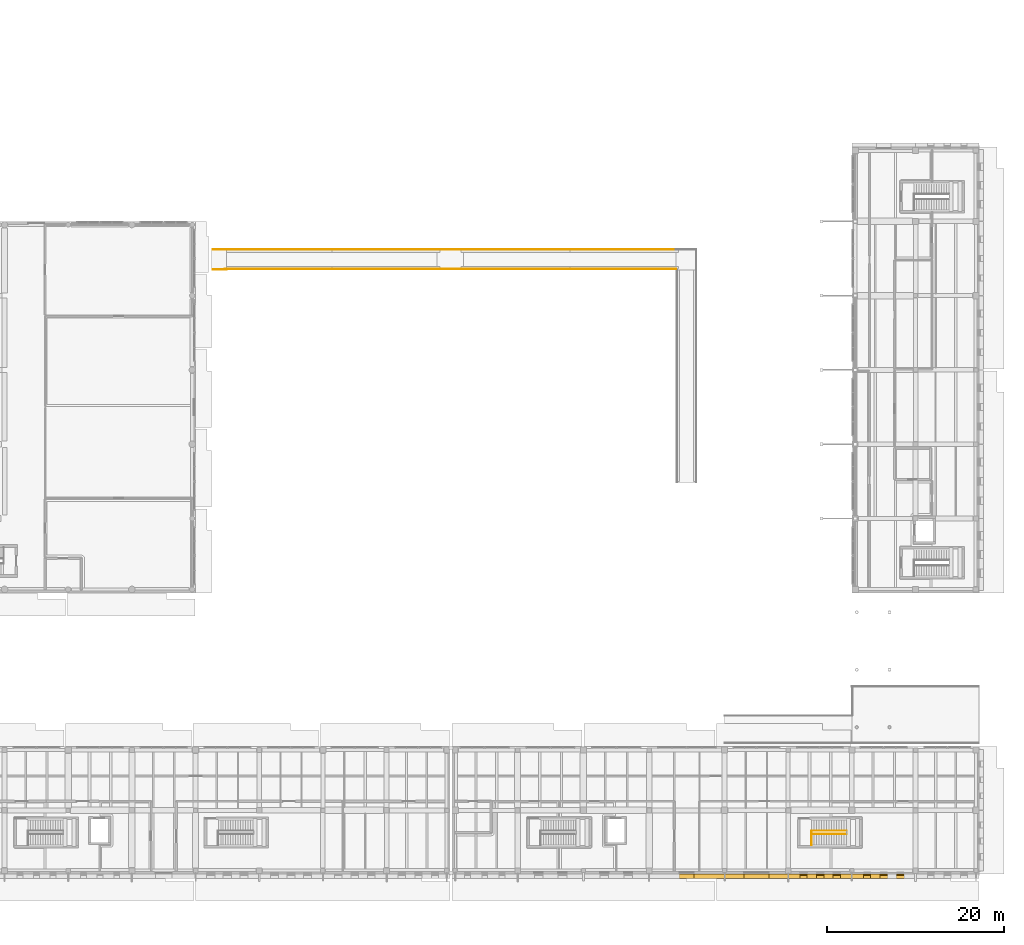
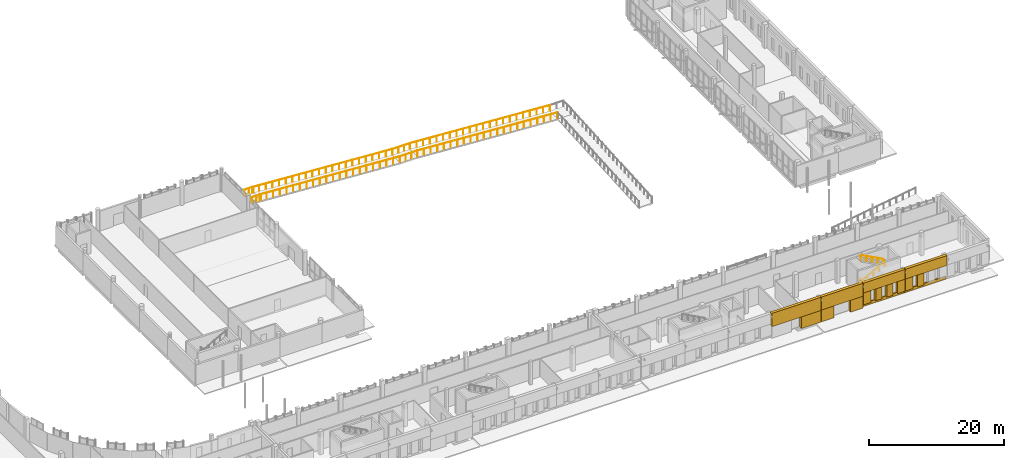
# One storey, part 74 of 77: 15 coverings, 11 railings.
"""IFC4 building model written with IfcOpenShell, lengths in metres."""

from ifc_helpers import new_model, si_unit, direction, frame, origin, origin_2d, place, context, subcontext, project, spatial, polyline, circle, outline, extrude, material, layer, layer_set, type_object, element, save


model = new_model("IFC4")

# Units and contexts
model_context = context("Model", 3, precision=1e-05, world=origin(), true_north=direction((0.0, 1.0)))
body_context = subcontext(model_context, "Body", "Model", "MODEL_VIEW")
ifc_project = project(units=[si_unit("LENGTHUNIT", "METRE"), si_unit("AREAUNIT", "SQUARE_METRE"), si_unit("VOLUMEUNIT", "CUBIC_METRE"), si_unit("PLANEANGLEUNIT", "RADIAN"), si_unit("MASSUNIT", "GRAM", prefix="KILO")], contexts=[model_context])

# Site, building, storey
site_placement = place(None, origin())
site = spatial("IfcSite", under=ifc_project, at=site_placement, CompositionType="ELEMENT")
building_placement = place(site_placement, origin())
building = spatial("IfcBuilding", under=site, at=building_placement, Name="Vardoun Plaza Health Centre", CompositionType="ELEMENT")
storey_placement = place(building_placement, origin())
storey = spatial("IfcBuildingStorey", under=building, at=storey_placement, Name="L00", CompositionType="ELEMENT", Elevation=0.0)

# Coverings
ifc_material_1 = material(Name="Pale Limestone Concrete C35/45", Category="masonry")
ifc_layer = layer(ifc_material_1, 0.080078125)
ifc_layer_set = layer_set([ifc_layer], Name="Pale Limestone Concrete C35/45")
covering_type = type_object("IfcCoveringType", Name="CL-EXT1", PredefinedType="CLADDING", material=ifc_layer_set)
covering_1_placement = place(storey_placement, origin())
element("IfcCovering", 1, at=covering_1_placement, inside=storey, type_object=covering_type, Name="V5 L00 Pale Concrete Sill Band 1089", PredefinedType="CLADDING", context=body_context, shape_type="SweptSolid", body=[
    extrude(outline(polyline([(158.080078125, 4.5), (150.919921875, 4.5), (150.919921875, 4.360107421875), (158.080078125, 4.360107421875), (158.080078125, 4.5)])), origin(), (0.0, 0.0, 1.0), 0.550048828125),
])
covering_2_placement = place(storey_placement, frame((0.0, 0.0, 2.7099609375)))
element("IfcCovering", 2, at=covering_2_placement, inside=storey, type_object=covering_type, Name="V5 L00 Sculpted Concrete Eyebrow Hood 1090", PredefinedType="CLADDING", context=body_context, shape_type="SweptSolid", body=[
    extrude(outline(polyline([(158.080078125, 4.5), (150.919921875, 4.5), (150.919921875, 4.02001953125), (158.080078125, 4.02001953125), (158.080078125, 4.5)])), origin(), (0.0, 0.0, 1.0), 1.7900390625),
])
covering_3_placement = place(storey_placement, frame((0.0, 0.0, 0.550048828125)))
element("IfcCovering", 3, at=covering_3_placement, inside=storey, type_object=covering_type, Name="V5 L00 Deep-Punched Slot Concrete Reveal Pier 1093", PredefinedType="CLADDING", context=body_context, shape_type="SweptSolid", body=[
    extrude(outline(polyline([(154.10009765625, 4.5), (153.028076171875, 4.5), (153.028076171875, 4.02001953125), (154.10009765625, 4.02001953125), (154.10009765625, 4.5)])), origin(), (0.0, 0.0, 1.0), 2.159912109375),
])
covering_4_placement = place(storey_placement, frame((0.0, 0.0, 0.550048828125)))
element("IfcCovering", 4, at=covering_4_placement, inside=storey, type_object=covering_type, Name="V5 L00 Deep-Punched Slot Concrete Reveal Pier 1094", PredefinedType="CLADDING", context=body_context, shape_type="SweptSolid", body=[
    extrude(outline(polyline([(152.22802734375, 4.5), (150.919921875, 4.5), (150.919921875, 4.02001953125), (152.22802734375, 4.02001953125), (152.22802734375, 4.5)])), origin(), (0.0, 0.0, 1.0), 2.159912109375),
])
covering_5_placement = place(storey_placement, origin())
element("IfcCovering", 5, at=covering_5_placement, inside=storey, type_object=covering_type, Name="V5 L00 Pale Concrete Sill Band 1095", PredefinedType="CLADDING", context=body_context, shape_type="SweptSolid", body=[
    extrude(outline(polyline([(150.8798828125, 4.5), (143.719970703125, 4.5), (143.719970703125, 4.360107421875), (150.8798828125, 4.360107421875), (150.8798828125, 4.5)])), origin(), (0.0, 0.0, 1.0), 0.550048828125),
])
covering_6_placement = place(storey_placement, frame((0.0, 0.0, 2.7099609375)))
element("IfcCovering", 6, at=covering_6_placement, inside=storey, type_object=covering_type, Name="V5 L00 Sculpted Concrete Eyebrow Hood 1096", PredefinedType="CLADDING", context=body_context, shape_type="SweptSolid", body=[
    extrude(outline(polyline([(150.8798828125, 4.5), (143.719970703125, 4.5), (143.719970703125, 4.02001953125), (150.8798828125, 4.02001953125), (150.8798828125, 4.5)])), origin(), (0.0, 0.0, 1.0), 1.7900390625),
])
covering_7_placement = place(storey_placement, frame((0.0, 0.0, 0.550048828125)))
element("IfcCovering", 7, at=covering_7_placement, inside=storey, type_object=covering_type, Name="V5 L00 Deep-Punched Slot Concrete Reveal Pier 1097", PredefinedType="CLADDING", context=body_context, shape_type="SweptSolid", body=[
    extrude(outline(polyline([(150.8798828125, 4.5), (149.592041015625, 4.5), (149.592041015625, 4.02001953125), (150.8798828125, 4.02001953125), (150.8798828125, 4.5)])), origin(), (0.0, 0.0, 1.0), 2.159912109375),
])
covering_8_placement = place(storey_placement, frame((0.0, 0.0, 0.550048828125)))
element("IfcCovering", 8, at=covering_8_placement, inside=storey, type_object=covering_type, Name="V5 L00 Deep-Punched Slot Concrete Reveal Pier 1098", PredefinedType="CLADDING", context=body_context, shape_type="SweptSolid", body=[
    extrude(outline(polyline([(148.751953125, 4.5), (147.719970703125, 4.5), (147.719970703125, 4.02001953125), (148.751953125, 4.02001953125), (148.751953125, 4.5)])), origin(), (0.0, 0.0, 1.0), 2.159912109375),
])
covering_9_placement = place(storey_placement, frame((0.0, 0.0, 0.550048828125)))
element("IfcCovering", 9, at=covering_9_placement, inside=storey, type_object=covering_type, Name="V5 L00 Deep-Punched Slot Concrete Reveal Pier 1099", PredefinedType="CLADDING", context=body_context, shape_type="SweptSolid", body=[
    extrude(outline(polyline([(146.8798828125, 4.5), (145.847900390625, 4.5), (145.847900390625, 4.02001953125), (146.8798828125, 4.02001953125), (146.8798828125, 4.5)])), origin(), (0.0, 0.0, 1.0), 2.159912109375),
])
covering_10_placement = place(storey_placement, frame((0.0, 0.0, 0.550048828125)))
element("IfcCovering", 10, at=covering_10_placement, inside=storey, type_object=covering_type, Name="V5 L00 Deep-Punched Slot Concrete Reveal Pier 1100", PredefinedType="CLADDING", context=body_context, shape_type="SweptSolid", body=[
    extrude(outline(polyline([(145.008056640625, 4.5), (143.719970703125, 4.5), (143.719970703125, 4.02001953125), (145.008056640625, 4.02001953125), (145.008056640625, 4.5)])), origin(), (0.0, 0.0, 1.0), 2.159912109375),
])
covering_11_placement = place(storey_placement, frame((0.0, 0.0, 2.14990234375)))
element("IfcCovering", 11, at=covering_11_placement, inside=storey, type_object=covering_type, Name="V5 L00 Sculpted Concrete Eyebrow Hood 1101", PredefinedType="CLADDING", context=body_context, shape_type="SweptSolid", body=[
    extrude(outline(polyline([(143.679931640625, 4.5), (136.52001953125, 4.5), (136.52001953125, 4.02001953125), (143.679931640625, 4.02001953125), (143.679931640625, 4.5)])), origin(), (0.0, 0.0, 1.0), 2.35009765625),
])
covering_12_placement = place(storey_placement, origin())
element("IfcCovering", 12, at=covering_12_placement, inside=storey, type_object=covering_type, Name="V5 L00 Deep-Punched Slot Concrete Reveal Pier 1102", PredefinedType="CLADDING", context=body_context, shape_type="SweptSolid", body=[
    extrude(outline(polyline([(143.679931640625, 4.5), (141.52001953125, 4.5), (141.52001953125, 4.02001953125), (143.679931640625, 4.02001953125), (143.679931640625, 4.5)])), origin(), (0.0, 0.0, 1.0), 2.14990234375),
])
covering_13_placement = place(storey_placement, origin())
element("IfcCovering", 13, at=covering_13_placement, inside=storey, type_object=covering_type, Name="V5 L00 Deep-Punched Slot Concrete Reveal Pier 1103", PredefinedType="CLADDING", context=body_context, shape_type="SweptSolid", body=[
    extrude(outline(polyline([(138.679931640625, 4.5), (136.52001953125, 4.5), (136.52001953125, 4.02001953125), (138.679931640625, 4.02001953125), (138.679931640625, 4.5)])), origin(), (0.0, 0.0, 1.0), 2.14990234375),
])
covering_14_placement = place(storey_placement, frame((0.0, 0.0, 2.10009765625)))
element("IfcCovering", 14, at=covering_14_placement, inside=storey, type_object=covering_type, Name="V5 L00 Sculpted Concrete Eyebrow Hood 1104", PredefinedType="CLADDING", context=body_context, shape_type="SweptSolid", body=[
    extrude(outline(polyline([(136.47998046875, 4.5), (128.0, 4.5), (128.0, 4.02001953125), (136.47998046875, 4.02001953125), (136.47998046875, 4.5)])), origin(), (0.0, 0.0, 1.0), 2.39990234375),
])
covering_15_placement = place(storey_placement, origin())
element("IfcCovering", 15, at=covering_15_placement, inside=storey, type_object=covering_type, Name="V5 L00 Deep-Punched Slot Concrete Reveal Pier 1105", PredefinedType="CLADDING", context=body_context, shape_type="SweptSolid", body=[
    extrude(outline(polyline([(136.47998046875, 4.5), (133.06005859375, 4.5), (133.06005859375, 4.02001953125), (136.47998046875, 4.02001953125), (136.47998046875, 4.5)])), origin(), (0.0, 0.0, 1.0), 2.10009765625),
])

# Railings
ifc_material_2 = material(Name="Galvanised Steel S275JR Forecourt Guardrail", Category="steel")
railing_type_1 = type_object("IfcRailingType", Name="GR-03", PredefinedType="GUARDRAIL", material=ifc_material_2)
railing_1_placement = place(storey_placement, frame((80.0, 72.89990234375, 0.0)))
element("IfcRailing", 16, at=railing_1_placement, inside=storey, type_object=railing_type_1, Name="Forecourt Ramp Guardrail AR1-S", PredefinedType="GUARDRAIL", context=body_context, shape_type="SweptSolid", body=[
    extrude(circle(Radius=0.02392578125, at=origin_2d()), frame((0.0, 0.0, 1.1259765625), z_axis=(0.998052578483, 0.0, -0.062378286155), x_axis=(0.0, 1.0, 0.0)), (0.0, 0.0, 1.0), 24.046875),
    extrude(circle(Radius=0.02099609375, at=origin_2d()), origin(), (0.0, 0.0, 1.0), 1.101806640625),
    extrude(circle(Radius=0.02099609375, at=origin_2d()), frame((1.142822265625, 0.0, -0.071533203125)), (0.0, 0.0, 1.0), 1.101806640625),
    extrude(circle(Radius=0.02099609375, at=origin_2d()), frame((2.28564453125, 0.0, -0.142822265625)), (0.0, 0.0, 1.0), 1.101806640625),
    extrude(circle(Radius=0.02099609375, at=origin_2d()), frame((3.428466796875, 0.0, -0.21435546875)), (0.0, 0.0, 1.0), 1.101806640625),
    extrude(circle(Radius=0.02099609375, at=origin_2d()), frame((4.571533203125, 0.0, -0.28564453125)), (0.0, 0.0, 1.0), 1.101806640625),
    extrude(circle(Radius=0.02099609375, at=origin_2d()), frame((5.71435546875, 0.0, -0.357177734375)), (0.0, 0.0, 1.0), 1.101806640625),
    extrude(circle(Radius=0.02099609375, at=origin_2d()), frame((6.857177734375, 0.0, -0.428466796875)), (0.0, 0.0, 1.0), 1.101806640625),
    extrude(circle(Radius=0.02099609375, at=origin_2d()), frame((8.0, 0.0, -0.5)), (0.0, 0.0, 1.0), 1.101806640625),
    extrude(circle(Radius=0.02099609375, at=origin_2d()), frame((9.142822265625, 0.0, -0.571533203125)), (0.0, 0.0, 1.0), 1.101806640625),
    extrude(circle(Radius=0.02099609375, at=origin_2d()), frame((10.28564453125, 0.0, -0.642822265625)), (0.0, 0.0, 1.0), 1.101806640625),
    extrude(circle(Radius=0.02099609375, at=origin_2d()), frame((11.428466796875, 0.0, -0.71435546875)), (0.0, 0.0, 1.0), 1.101806640625),
    extrude(circle(Radius=0.02099609375, at=origin_2d()), frame((12.571533203125, 0.0, -0.78564453125)), (0.0, 0.0, 1.0), 1.101806640625),
    extrude(circle(Radius=0.02099609375, at=origin_2d()), frame((13.71435546875, 0.0, -0.857177734375)), (0.0, 0.0, 1.0), 1.101806640625),
    extrude(circle(Radius=0.02099609375, at=origin_2d()), frame((14.857177734375, 0.0, -0.928466796875)), (0.0, 0.0, 1.0), 1.101806640625),
    extrude(circle(Radius=0.02099609375, at=origin_2d()), frame((16.0, 0.0, -1.0)), (0.0, 0.0, 1.0), 1.101806640625),
    extrude(circle(Radius=0.02099609375, at=origin_2d()), frame((17.142822265625, 0.0, -1.071533203125)), (0.0, 0.0, 1.0), 1.101806640625),
    extrude(circle(Radius=0.02099609375, at=origin_2d()), frame((18.28564453125, 0.0, -1.142822265625)), (0.0, 0.0, 1.0), 1.101806640625),
    extrude(circle(Radius=0.02099609375, at=origin_2d()), frame((19.428466796875, 0.0, -1.21435546875)), (0.0, 0.0, 1.0), 1.101806640625),
    extrude(circle(Radius=0.02099609375, at=origin_2d()), frame((20.571533203125, 0.0, -1.28564453125)), (0.0, 0.0, 1.0), 1.101806640625),
    extrude(circle(Radius=0.02099609375, at=origin_2d()), frame((21.71435546875, 0.0, -1.357177734375)), (0.0, 0.0, 1.0), 1.101806640625),
    extrude(circle(Radius=0.02099609375, at=origin_2d()), frame((22.857177734375, 0.0, -1.428466796875)), (0.0, 0.0, 1.0), 1.101806640625),
    extrude(circle(Radius=0.02099609375, at=origin_2d()), frame((24.0, 0.0, -1.5)), (0.0, 0.0, 1.0), 1.101806640625),
])
railing_2_placement = place(storey_placement, frame((80.0, 75.10009765625, 0.0)))
element("IfcRailing", 17, at=railing_2_placement, inside=storey, type_object=railing_type_1, Name="Forecourt Ramp Guardrail AR1-N", PredefinedType="GUARDRAIL", context=body_context, shape_type="SweptSolid", body=[
    extrude(circle(Radius=0.02392578125, at=origin_2d()), frame((0.0, 0.0, 1.1259765625), z_axis=(0.998052578483, 0.0, -0.062378286155), x_axis=(0.0, 1.0, 0.0)), (0.0, 0.0, 1.0), 24.046875),
    extrude(circle(Radius=0.02099609375, at=origin_2d()), origin(), (0.0, 0.0, 1.0), 1.101806640625),
    extrude(circle(Radius=0.02099609375, at=origin_2d()), frame((1.142822265625, 0.0, -0.071533203125)), (0.0, 0.0, 1.0), 1.101806640625),
    extrude(circle(Radius=0.02099609375, at=origin_2d()), frame((2.28564453125, 0.0, -0.142822265625)), (0.0, 0.0, 1.0), 1.101806640625),
    extrude(circle(Radius=0.02099609375, at=origin_2d()), frame((3.428466796875, 0.0, -0.21435546875)), (0.0, 0.0, 1.0), 1.101806640625),
    extrude(circle(Radius=0.02099609375, at=origin_2d()), frame((4.571533203125, 0.0, -0.28564453125)), (0.0, 0.0, 1.0), 1.101806640625),
    extrude(circle(Radius=0.02099609375, at=origin_2d()), frame((5.71435546875, 0.0, -0.357177734375)), (0.0, 0.0, 1.0), 1.101806640625),
    extrude(circle(Radius=0.02099609375, at=origin_2d()), frame((6.857177734375, 0.0, -0.428466796875)), (0.0, 0.0, 1.0), 1.101806640625),
    extrude(circle(Radius=0.02099609375, at=origin_2d()), frame((8.0, 0.0, -0.5)), (0.0, 0.0, 1.0), 1.101806640625),
    extrude(circle(Radius=0.02099609375, at=origin_2d()), frame((9.142822265625, 0.0, -0.571533203125)), (0.0, 0.0, 1.0), 1.101806640625),
    extrude(circle(Radius=0.02099609375, at=origin_2d()), frame((10.28564453125, 0.0, -0.642822265625)), (0.0, 0.0, 1.0), 1.101806640625),
    extrude(circle(Radius=0.02099609375, at=origin_2d()), frame((11.428466796875, 0.0, -0.71435546875)), (0.0, 0.0, 1.0), 1.101806640625),
    extrude(circle(Radius=0.02099609375, at=origin_2d()), frame((12.571533203125, 0.0, -0.78564453125)), (0.0, 0.0, 1.0), 1.101806640625),
    extrude(circle(Radius=0.02099609375, at=origin_2d()), frame((13.71435546875, 0.0, -0.857177734375)), (0.0, 0.0, 1.0), 1.101806640625),
    extrude(circle(Radius=0.02099609375, at=origin_2d()), frame((14.857177734375, 0.0, -0.928466796875)), (0.0, 0.0, 1.0), 1.101806640625),
    extrude(circle(Radius=0.02099609375, at=origin_2d()), frame((16.0, 0.0, -1.0)), (0.0, 0.0, 1.0), 1.101806640625),
    extrude(circle(Radius=0.02099609375, at=origin_2d()), frame((17.142822265625, 0.0, -1.071533203125)), (0.0, 0.0, 1.0), 1.101806640625),
    extrude(circle(Radius=0.02099609375, at=origin_2d()), frame((18.28564453125, 0.0, -1.142822265625)), (0.0, 0.0, 1.0), 1.101806640625),
    extrude(circle(Radius=0.02099609375, at=origin_2d()), frame((19.428466796875, 0.0, -1.21435546875)), (0.0, 0.0, 1.0), 1.101806640625),
    extrude(circle(Radius=0.02099609375, at=origin_2d()), frame((20.571533203125, 0.0, -1.28564453125)), (0.0, 0.0, 1.0), 1.101806640625),
    extrude(circle(Radius=0.02099609375, at=origin_2d()), frame((21.71435546875, 0.0, -1.357177734375)), (0.0, 0.0, 1.0), 1.101806640625),
    extrude(circle(Radius=0.02099609375, at=origin_2d()), frame((22.857177734375, 0.0, -1.428466796875)), (0.0, 0.0, 1.0), 1.101806640625),
    extrude(circle(Radius=0.02099609375, at=origin_2d()), frame((24.0, 0.0, -1.5)), (0.0, 0.0, 1.0), 1.101806640625),
])
railing_3_placement = place(storey_placement, frame((107.0, 72.89990234375, -1.5)))
element("IfcRailing", 18, at=railing_3_placement, inside=storey, type_object=railing_type_1, Name="Forecourt Ramp Guardrail AR2-S", PredefinedType="GUARDRAIL", context=body_context, shape_type="SweptSolid", body=[
    extrude(circle(Radius=0.02392578125, at=origin_2d()), frame((0.0, 0.0, 1.1259765625), z_axis=(0.998052578483, 0.0, -0.062378286155), x_axis=(0.0, 1.0, 0.0)), (0.0, 0.0, 1.0), 24.046875),
    extrude(circle(Radius=0.02099609375, at=origin_2d()), origin(), (0.0, 0.0, 1.0), 1.101806640625),
    extrude(circle(Radius=0.02099609375, at=origin_2d()), frame((1.142822265625, 0.0, -0.071533203125)), (0.0, 0.0, 1.0), 1.101806640625),
    extrude(circle(Radius=0.02099609375, at=origin_2d()), frame((2.28564453125, 0.0, -0.142822265625)), (0.0, 0.0, 1.0), 1.101806640625),
    extrude(circle(Radius=0.02099609375, at=origin_2d()), frame((3.428466796875, 0.0, -0.21435546875)), (0.0, 0.0, 1.0), 1.101806640625),
    extrude(circle(Radius=0.02099609375, at=origin_2d()), frame((4.571533203125, 0.0, -0.28564453125)), (0.0, 0.0, 1.0), 1.101806640625),
    extrude(circle(Radius=0.02099609375, at=origin_2d()), frame((5.71435546875, 0.0, -0.357177734375)), (0.0, 0.0, 1.0), 1.101806640625),
    extrude(circle(Radius=0.02099609375, at=origin_2d()), frame((6.857177734375, 0.0, -0.428466796875)), (0.0, 0.0, 1.0), 1.101806640625),
    extrude(circle(Radius=0.02099609375, at=origin_2d()), frame((8.0, 0.0, -0.5)), (0.0, 0.0, 1.0), 1.101806640625),
    extrude(circle(Radius=0.02099609375, at=origin_2d()), frame((9.142822265625, 0.0, -0.571533203125)), (0.0, 0.0, 1.0), 1.101806640625),
    extrude(circle(Radius=0.02099609375, at=origin_2d()), frame((10.28564453125, 0.0, -0.642822265625)), (0.0, 0.0, 1.0), 1.101806640625),
    extrude(circle(Radius=0.02099609375, at=origin_2d()), frame((11.428466796875, 0.0, -0.71435546875)), (0.0, 0.0, 1.0), 1.101806640625),
    extrude(circle(Radius=0.02099609375, at=origin_2d()), frame((12.571533203125, 0.0, -0.78564453125)), (0.0, 0.0, 1.0), 1.101806640625),
    extrude(circle(Radius=0.02099609375, at=origin_2d()), frame((13.71435546875, 0.0, -0.857177734375)), (0.0, 0.0, 1.0), 1.101806640625),
    extrude(circle(Radius=0.02099609375, at=origin_2d()), frame((14.857177734375, 0.0, -0.928466796875)), (0.0, 0.0, 1.0), 1.101806640625),
    extrude(circle(Radius=0.02099609375, at=origin_2d()), frame((16.0, 0.0, -1.0)), (0.0, 0.0, 1.0), 1.101806640625),
    extrude(circle(Radius=0.02099609375, at=origin_2d()), frame((17.142822265625, 0.0, -1.071533203125)), (0.0, 0.0, 1.0), 1.101806640625),
    extrude(circle(Radius=0.02099609375, at=origin_2d()), frame((18.28564453125, 0.0, -1.142822265625)), (0.0, 0.0, 1.0), 1.101806640625),
    extrude(circle(Radius=0.02099609375, at=origin_2d()), frame((19.428466796875, 0.0, -1.21435546875)), (0.0, 0.0, 1.0), 1.101806640625),
    extrude(circle(Radius=0.02099609375, at=origin_2d()), frame((20.571533203125, 0.0, -1.28564453125)), (0.0, 0.0, 1.0), 1.101806640625),
    extrude(circle(Radius=0.02099609375, at=origin_2d()), frame((21.71435546875, 0.0, -1.357177734375)), (0.0, 0.0, 1.0), 1.101806640625),
    extrude(circle(Radius=0.02099609375, at=origin_2d()), frame((22.857177734375, 0.0, -1.428466796875)), (0.0, 0.0, 1.0), 1.101806640625),
    extrude(circle(Radius=0.02099609375, at=origin_2d()), frame((24.0, 0.0, -1.5)), (0.0, 0.0, 1.0), 1.101806640625),
])
railing_4_placement = place(storey_placement, frame((107.0, 75.10009765625, -1.5)))
element("IfcRailing", 19, at=railing_4_placement, inside=storey, type_object=railing_type_1, Name="Forecourt Ramp Guardrail AR2-N", PredefinedType="GUARDRAIL", context=body_context, shape_type="SweptSolid", body=[
    extrude(circle(Radius=0.02392578125, at=origin_2d()), frame((0.0, 0.0, 1.1259765625), z_axis=(0.998052578483, 0.0, -0.062378286155), x_axis=(0.0, 1.0, 0.0)), (0.0, 0.0, 1.0), 24.046875),
    extrude(circle(Radius=0.02099609375, at=origin_2d()), origin(), (0.0, 0.0, 1.0), 1.101806640625),
    extrude(circle(Radius=0.02099609375, at=origin_2d()), frame((1.142822265625, 0.0, -0.071533203125)), (0.0, 0.0, 1.0), 1.101806640625),
    extrude(circle(Radius=0.02099609375, at=origin_2d()), frame((2.28564453125, 0.0, -0.142822265625)), (0.0, 0.0, 1.0), 1.101806640625),
    extrude(circle(Radius=0.02099609375, at=origin_2d()), frame((3.428466796875, 0.0, -0.21435546875)), (0.0, 0.0, 1.0), 1.101806640625),
    extrude(circle(Radius=0.02099609375, at=origin_2d()), frame((4.571533203125, 0.0, -0.28564453125)), (0.0, 0.0, 1.0), 1.101806640625),
    extrude(circle(Radius=0.02099609375, at=origin_2d()), frame((5.71435546875, 0.0, -0.357177734375)), (0.0, 0.0, 1.0), 1.101806640625),
    extrude(circle(Radius=0.02099609375, at=origin_2d()), frame((6.857177734375, 0.0, -0.428466796875)), (0.0, 0.0, 1.0), 1.101806640625),
    extrude(circle(Radius=0.02099609375, at=origin_2d()), frame((8.0, 0.0, -0.5)), (0.0, 0.0, 1.0), 1.101806640625),
    extrude(circle(Radius=0.02099609375, at=origin_2d()), frame((9.142822265625, 0.0, -0.571533203125)), (0.0, 0.0, 1.0), 1.101806640625),
    extrude(circle(Radius=0.02099609375, at=origin_2d()), frame((10.28564453125, 0.0, -0.642822265625)), (0.0, 0.0, 1.0), 1.101806640625),
    extrude(circle(Radius=0.02099609375, at=origin_2d()), frame((11.428466796875, 0.0, -0.71435546875)), (0.0, 0.0, 1.0), 1.101806640625),
    extrude(circle(Radius=0.02099609375, at=origin_2d()), frame((12.571533203125, 0.0, -0.78564453125)), (0.0, 0.0, 1.0), 1.101806640625),
    extrude(circle(Radius=0.02099609375, at=origin_2d()), frame((13.71435546875, 0.0, -0.857177734375)), (0.0, 0.0, 1.0), 1.101806640625),
    extrude(circle(Radius=0.02099609375, at=origin_2d()), frame((14.857177734375, 0.0, -0.928466796875)), (0.0, 0.0, 1.0), 1.101806640625),
    extrude(circle(Radius=0.02099609375, at=origin_2d()), frame((16.0, 0.0, -1.0)), (0.0, 0.0, 1.0), 1.101806640625),
    extrude(circle(Radius=0.02099609375, at=origin_2d()), frame((17.142822265625, 0.0, -1.071533203125)), (0.0, 0.0, 1.0), 1.101806640625),
    extrude(circle(Radius=0.02099609375, at=origin_2d()), frame((18.28564453125, 0.0, -1.142822265625)), (0.0, 0.0, 1.0), 1.101806640625),
    extrude(circle(Radius=0.02099609375, at=origin_2d()), frame((19.428466796875, 0.0, -1.21435546875)), (0.0, 0.0, 1.0), 1.101806640625),
    extrude(circle(Radius=0.02099609375, at=origin_2d()), frame((20.571533203125, 0.0, -1.28564453125)), (0.0, 0.0, 1.0), 1.101806640625),
    extrude(circle(Radius=0.02099609375, at=origin_2d()), frame((21.71435546875, 0.0, -1.357177734375)), (0.0, 0.0, 1.0), 1.101806640625),
    extrude(circle(Radius=0.02099609375, at=origin_2d()), frame((22.857177734375, 0.0, -1.428466796875)), (0.0, 0.0, 1.0), 1.101806640625),
    extrude(circle(Radius=0.02099609375, at=origin_2d()), frame((24.0, 0.0, -1.5)), (0.0, 0.0, 1.0), 1.101806640625),
])
for number, where, name in (
    (20, (104.0, 72.89990234375, -1.5), "Forecourt Ramp Guardrail ARL1-S"),
    (21, (104.0, 75.10009765625, -1.5), "Forecourt Ramp Guardrail ARL1-N"),
):
    element("IfcRailing", number, at=place(storey_placement, frame(where)), inside=storey, type_object=railing_type_1, Name=name, PredefinedType="GUARDRAIL", context=body_context, shape_type="SweptSolid", body=[
        extrude(circle(Radius=0.02392578125, at=origin_2d()), frame((0.0, 0.0, 1.1259765625), z_axis=(1.0, 0.0, 0.0), x_axis=(0.0, 1.0, 0.0)), (0.0, 0.0, 1.0), 3.0),
        extrude(circle(Radius=0.02099609375, at=origin_2d()), origin(), (0.0, 0.0, 1.0), 1.101806640625),
        extrude(circle(Radius=0.02099609375, at=origin_2d()), frame((1.0, 0.0, 0.0)), (0.0, 0.0, 1.0), 1.101806640625),
        extrude(circle(Radius=0.02099609375, at=origin_2d()), frame((2.0, 0.0, 0.0)), (0.0, 0.0, 1.0), 1.101806640625),
        extrude(circle(Radius=0.02099609375, at=origin_2d()), frame((3.0, 0.0, 0.0)), (0.0, 0.0, 1.0), 1.101806640625),
    ])
ifc_material_3 = material(Name="Painted Steel S275JR Stair-Well Guardrail", Category="steel")
railing_type_2 = type_object("IfcRailingType", Name="GR-04", PredefinedType="GUARDRAIL", material=ifc_material_3)
railing_5_placement = place(storey_placement, frame((146.31005859375, 7.780029296875, 0.0)))
element("IfcRailing", 22, at=railing_5_placement, inside=storey, type_object=railing_type_2, Name="Stair ST-C9-B1 Upper Landing Well Guard", PredefinedType="GUARDRAIL", context=body_context, shape_type="SweptSolid", body=[
    extrude(circle(Radius=0.02392578125, at=origin_2d()), frame((0.0, 0.0, 1.09619140625), z_axis=(0.0, 1.0, 0.0), x_axis=(-1.0, 0.0, 0.0)), (0.0, 0.0, 1.0), 1.614990234375),
    extrude(circle(Radius=0.02099609375, at=origin_2d()), origin(), (0.0, 0.0, 1.0), 1.072021484375),
    extrude(circle(Radius=0.02099609375, at=origin_2d()), frame((0.0, 0.8076171875, 0.0)), (0.0, 0.0, 1.0), 1.072021484375),
    extrude(circle(Radius=0.02099609375, at=origin_2d()), frame((0.0, 1.614990234375, 0.0)), (0.0, 0.0, 1.0), 1.072021484375),
])
ifc_material_4 = material(Name="Brushed Stainless Steel Grade 316L", Category="steel")
railing_type_3 = type_object("IfcRailingType", Name="HR-01", PredefinedType="HANDRAIL", material=ifc_material_4)
railing_6_placement = place(storey_placement, frame((146.35009765625, 9.0048828125, 0.14990234375)))
element("IfcRailing", 23, at=railing_6_placement, inside=storey, type_object=railing_type_3, Name="Stair ST-C9-L00 Flight 1 Handrail", PredefinedType="HANDRAIL", context=body_context, shape_type="SweptSolid", body=[
    extrude(circle(Radius=0.02392578125, at=origin_2d()), frame((0.0, 0.0, 0.89599609375), z_axis=(0.881466911329, 0.0, 0.472245787945), x_axis=(0.0, 1.0, 0.0)), (0.0, 0.0, 1.0), 4.447021484375),
    extrude(circle(Radius=0.02099609375, at=origin_2d()), origin(), (0.0, 0.0, 1.0), 0.871826171875),
    extrude(circle(Radius=0.02099609375, at=origin_2d()), frame((0.97998046875, 0.0, 0.52490234375)), (0.0, 0.0, 1.0), 0.871826171875),
    extrude(circle(Radius=0.02099609375, at=origin_2d()), frame((1.9599609375, 0.0, 1.050048828125)), (0.0, 0.0, 1.0), 0.871826171875),
    extrude(circle(Radius=0.02099609375, at=origin_2d()), frame((2.93994140625, 0.0, 1.5751953125)), (0.0, 0.0, 1.0), 0.871826171875),
    extrude(circle(Radius=0.02099609375, at=origin_2d()), frame((3.919921875, 0.0, 2.10009765625)), (0.0, 0.0, 1.0), 0.871826171875),
])
railing_7_placement = place(storey_placement, frame((150.27001953125, 9.39501953125, 2.39990234375)))
element("IfcRailing", 24, at=railing_7_placement, inside=storey, type_object=railing_type_3, Name="Stair ST-C9-L00 Flight 2 Handrail", PredefinedType="HANDRAIL", context=body_context, shape_type="SweptSolid", body=[
    extrude(circle(Radius=0.02392578125, at=origin_2d()), frame((0.0, 0.0, 0.89599609375), z_axis=(-0.881466911329, 0.0, 0.472245787945), x_axis=(0.0, -1.0, 0.0)), (0.0, 0.0, 1.0), 4.447021484375),
    extrude(circle(Radius=0.02099609375, at=origin_2d()), origin(), (0.0, 0.0, 1.0), 0.871826171875),
    extrude(circle(Radius=0.02099609375, at=origin_2d()), frame((-0.97998046875, 0.0, 0.52490234375)), (0.0, 0.0, 1.0), 0.871826171875),
    extrude(circle(Radius=0.02099609375, at=origin_2d()), frame((-1.9599609375, 0.0, 1.050048828125)), (0.0, 0.0, 1.0), 0.871826171875),
    extrude(circle(Radius=0.02099609375, at=origin_2d()), frame((-2.93994140625, 0.0, 1.5751953125)), (0.0, 0.0, 1.0), 0.871826171875),
    extrude(circle(Radius=0.02099609375, at=origin_2d()), frame((-3.919921875, 0.0, 2.10009765625)), (0.0, 0.0, 1.0), 0.871826171875),
])
for number, where, name in (
    (25, (78.6201171875, 72.8798828125, 0.0), "Forecourt Ramp Landing 1 South Guard"),
    (26, (78.6201171875, 75.1201171875, 0.0), "Forecourt Ramp Landing 1 North Guard"),
):
    element("IfcRailing", number, at=place(storey_placement, frame(where)), inside=storey, Name=name, PredefinedType="GUARDRAIL", context=body_context, shape_type="SweptSolid", body=[
        extrude(circle(Radius=0.02392578125, at=origin_2d()), frame((0.0, 0.0, 1.1259765625), z_axis=(1.0, 0.0, 0.0), x_axis=(0.0, 1.0, 0.0)), (0.0, 0.0, 1.0), 1.559814453125),
        extrude(circle(Radius=0.02099609375, at=origin_2d()), origin(), (0.0, 0.0, 1.0), 1.101806640625),
        extrude(circle(Radius=0.02099609375, at=origin_2d()), frame((0.77978515625, 0.0, 0.0)), (0.0, 0.0, 1.0), 1.101806640625),
        extrude(circle(Radius=0.02099609375, at=origin_2d()), frame((1.559814453125, 0.0, 0.0)), (0.0, 0.0, 1.0), 1.101806640625),
    ])

save(model, "model.ifc")
